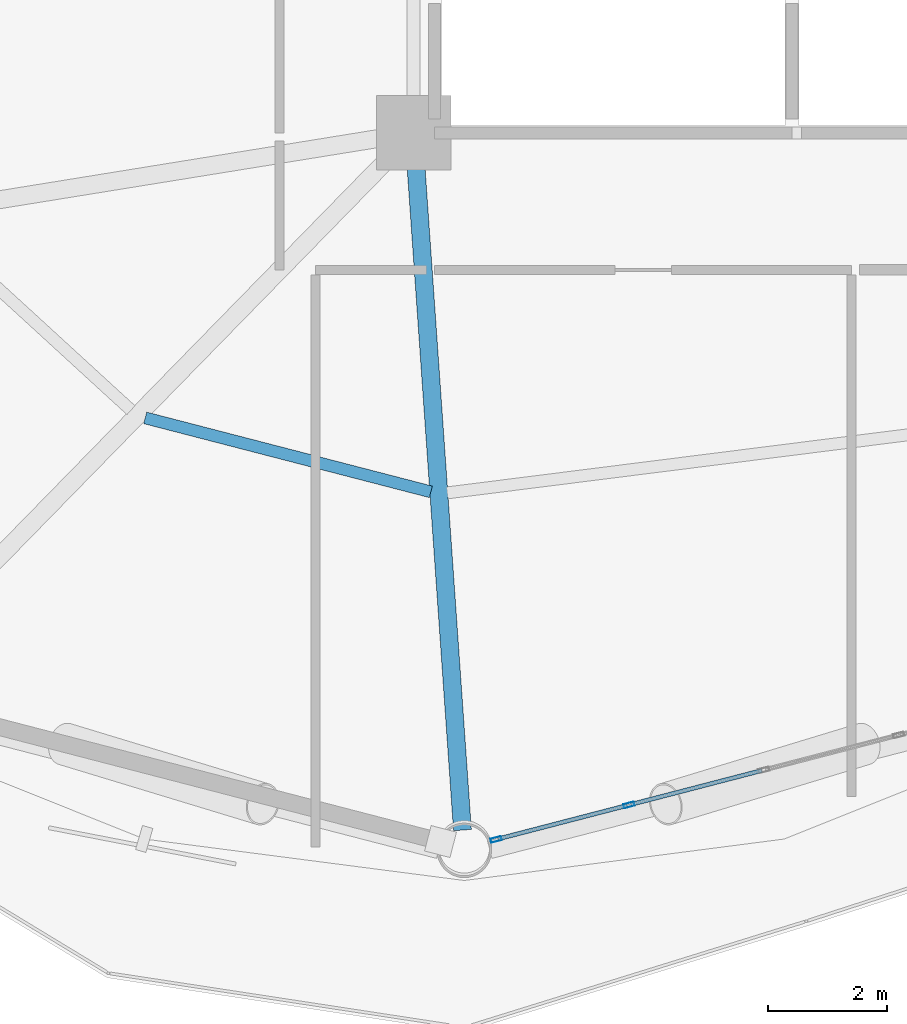
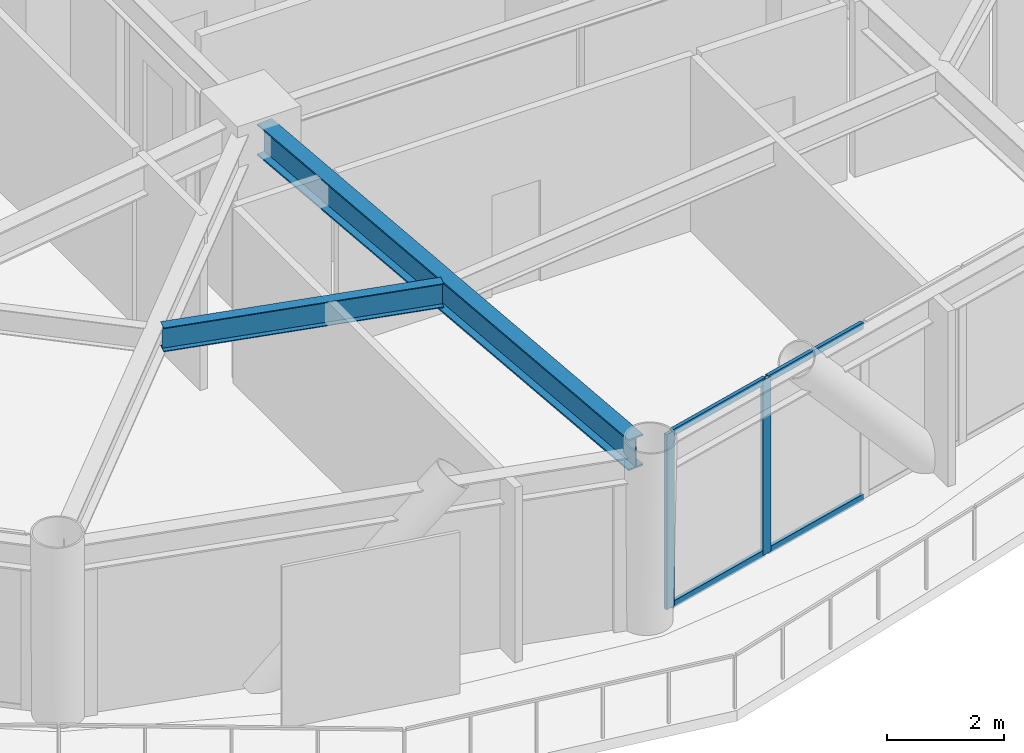
# One storey, part 6 of 23: 6 members, 2 beams, 1 element without a shape of its own.
"""IFC4 building model written with IfcOpenShell, lengths in metres."""

from ifc_helpers import new_model, si_unit, direction, frame, origin, origin_2d, place, context, subcontext, project, spatial, hollow_rectangle, i_section, extrude, material, layer, layer_set, material_profile, profile_set, type_object, element, aggregate, save


model = new_model("IFC4")

# Units and contexts
model_context = context("Model", 3, precision=1e-05, world=origin(), true_north=direction((0.0, 1.0)))
body_context = subcontext(model_context, "Body", "Model", "MODEL_VIEW")
ifc_project = project(units=[si_unit("LENGTHUNIT", "METRE"), si_unit("AREAUNIT", "SQUARE_METRE"), si_unit("VOLUMEUNIT", "CUBIC_METRE"), si_unit("PLANEANGLEUNIT", "RADIAN"), si_unit("MASSUNIT", "GRAM", prefix="KILO")], contexts=[model_context])

# Site, building, storey
site_placement = place(None, origin())
site = spatial("IfcSite", under=ifc_project, at=site_placement, CompositionType="ELEMENT")
building_placement = place(site_placement, origin())
building = spatial("IfcBuilding", under=site, at=building_placement, Name="Varnakorn Sky Granary", CompositionType="ELEMENT")
storey_placement = place(building_placement, frame((0.0, 0.0, 31.5)))
storey = spatial("IfcBuildingStorey", under=building, at=storey_placement, Name="L07", CompositionType="ELEMENT", Elevation=31.5)

# Beams
ifc_material_1 = material(Name="Steel S355JR", Category="steel")
ifc_material_profile_1 = material_profile(ifc_material_1, i_section(OverallWidth=0.300048828125, OverallDepth=0.64990234375, WebThickness=0.01611328125, FlangeThickness=0.031005859375, at=origin_2d()), Name="HE 650 B")
ifc_profile_set_1 = profile_set([ifc_material_profile_1], Name="Steel S355JR")
beam_type_1 = type_object("IfcBeamType", Name="BM-RAD-Z1", PredefinedType="BEAM", material=ifc_profile_set_1)
beam_1_placement = place(storey_placement, frame((-2.32080078125, -7.01904296875, 3.31494140625), z_axis=(0.069840084346, -0.997558200116, 0.0), x_axis=(0.997558200116, 0.069840084346, 0.0)))
element("IfcBeam", 1, at=beam_1_placement, inside=storey, type_object=beam_type_1, Name="Radial Floor Girder RG10 L07", PredefinedType="BEAM", context=body_context, shape_type="SweptSolid", body=[
    extrude(i_section(OverallWidth=0.300048828125, OverallDepth=0.64990234375, WebThickness=0.01611328125, FlangeThickness=0.031005859375, at=origin_2d()), origin(), (0.0, 0.0, 1.0), 11.30859375),
])
ifc_material_profile_2 = material_profile(ifc_material_1, i_section(OverallWidth=0.199951171875, OverallDepth=0.5, WebThickness=0.01025390625, FlangeThickness=0.01611328125, at=origin_2d()), Name="IPE 500")
ifc_profile_set_2 = profile_set([ifc_material_profile_2], Name="Steel S355JR")
beam_type_2 = type_object("IfcBeamType", Name="BM-SEC-Z1", PredefinedType="BEAM", material=ifc_profile_set_2)
beam_2_placement = place(storey_placement, frame((-6.85400390625, -11.3837890625, 3.389892578125), z_axis=(0.968086907115, -0.25061472477, 0.0), x_axis=(0.25061472477, 0.968086907115, 0.0)))
element("IfcBeam", 2, at=beam_2_placement, inside=storey, type_object=beam_type_2, Name="Secondary Floor Chord Beam MSB09 L07", PredefinedType="BEAM", context=body_context, shape_type="SweptSolid", body=[
    extrude(i_section(OverallWidth=0.199951171875, OverallDepth=0.5, WebThickness=0.01025390625, FlangeThickness=0.01611328125, at=origin_2d()), origin(), (0.0, 0.0, 1.0), 4.95068359375),
])

# Curtain wall, members
ifc_material_2 = material(Name="Anodised Bronze Aluminium Alloy 6063-T6", Category="aluminium")
ifc_layer = layer(ifc_material_2, 0.18994140625, Name="Anodised Bronze Aluminium Alloy 6063-T6")
ifc_layer_set = layer_set([ifc_layer], Name="Anodised Bronze Aluminium Alloy 6063-T6")
curtain_wall_type = type_object("IfcCurtainWallType", Name="CW-FRM-1", PredefinedType="USERDEFINED", material=ifc_layer_set)
curtain_wall_placement = place(storey_placement, origin())
curtain_wall = element("IfcCurtainWall", 3, at=curtain_wall_placement, inside=storey, type_object=curtain_wall_type, Name="Unitised Curtain Wall CW3 CW-L07-B10", ObjectType="CURTAIN WALL", PredefinedType="USERDEFINED")
ifc_material_profile_3 = material_profile(ifc_material_2, hollow_rectangle(XDim=0.070068359375, YDim=0.18505859375, WallThickness=0.00390625, at=origin_2d()), Name="ALU MULL 70x185")
ifc_profile_set_3 = profile_set([ifc_material_profile_3], Name="Anodised Bronze Aluminium Alloy 6063-T6")
member_type_1 = type_object("IfcMemberType", Name="CW-FRM-1-MULL", PredefinedType="MULLION", material=ifc_profile_set_3)
member_1_placement = place(storey_placement, frame((1.26318359375, -17.87890625, 0.0), z_axis=(0.0, 0.0, 1.0), x_axis=(0.251164802538, -0.967944338258, 0.0)))
member_1 = element("IfcMember", 4, at=member_1_placement, type_object=member_type_1, Name="CW3 mullion 4", PredefinedType="MULLION", context=body_context, shape_type="SweptSolid", body=[
    extrude(hollow_rectangle(XDim=0.070068359375, YDim=0.18505859375, WallThickness=0.00390625, at=origin_2d()), origin(), (0.0, 0.0, 1.0), 3.639892578125),
])
member_2_placement = place(storey_placement, frame((-0.9658203125, -18.457275390625, 0.0), z_axis=(0.0, 0.0, 1.0), x_axis=(0.251164802538, -0.967944338258, 0.0)))
member_2 = element("IfcMember", 5, at=member_2_placement, type_object=member_type_1, Name="CW3 mullion 5", PredefinedType="MULLION", context=body_context, shape_type="SweptSolid", body=[
    extrude(hollow_rectangle(XDim=0.070068359375, YDim=0.18505859375, WallThickness=0.00390625, at=origin_2d()), origin(), (0.0, 0.0, 1.0), 3.639892578125),
])
ifc_material_profile_4 = material_profile(ifc_material_2, hollow_rectangle(XDim=0.070068359375, YDim=0.139892578125, WallThickness=0.00341796875, at=origin_2d()), Name="ALU TRAN 70x140")
ifc_profile_set_4 = profile_set([ifc_material_profile_4], Name="Anodised Bronze Aluminium Alloy 6063-T6")
member_type_2 = type_object("IfcMemberType", Name="CW-FRM-1-TRAN", PredefinedType="USERDEFINED", material=ifc_profile_set_4)
member_3_placement = place(storey_placement, frame((3.491943359375, -17.300537109375, 0.034912109375), z_axis=(-0.967944570757, -0.251163906526, 0.0), x_axis=(0.251163906526, -0.967944570757, 0.0)))
member_3 = element("IfcMember", 6, at=member_3_placement, type_object=member_type_2, Name="CW3 transom 3.1", ObjectType="TRANSOM", PredefinedType="USERDEFINED", context=body_context, shape_type="SweptSolid", body=[
    extrude(hollow_rectangle(XDim=0.070068359375, YDim=0.139892578125, WallThickness=0.00341796875, at=origin_2d()), origin(), (0.0, 0.0, 1.0), 2.267822265625),
])
member_4_placement = place(storey_placement, frame((3.491943359375, -17.300537109375, 3.60498046875), z_axis=(-0.967944570757, -0.251163906526, 0.0), x_axis=(0.251163906526, -0.967944570757, 0.0)))
member_4 = element("IfcMember", 7, at=member_4_placement, type_object=member_type_2, Name="CW3 transom 3.2", ObjectType="TRANSOM", PredefinedType="USERDEFINED", context=body_context, shape_type="SweptSolid", body=[
    extrude(hollow_rectangle(XDim=0.070068359375, YDim=0.139892578125, WallThickness=0.00341796875, at=origin_2d()), origin(), (0.0, 0.0, 1.0), 2.267822265625),
])
member_5_placement = place(storey_placement, frame((1.229248046875, -17.8876953125, 0.034912109375), z_axis=(-0.967942764186, -0.251170868655, 0.0), x_axis=(0.251170868655, -0.967942764186, 0.0)))
member_5 = element("IfcMember", 8, at=member_5_placement, type_object=member_type_2, Name="CW3 transom 4.1", ObjectType="TRANSOM", PredefinedType="USERDEFINED", context=body_context, shape_type="SweptSolid", body=[
    extrude(hollow_rectangle(XDim=0.070068359375, YDim=0.139892578125, WallThickness=0.00341796875, at=origin_2d()), origin(), (0.0, 0.0, 1.0), 2.232666015625),
])
member_6_placement = place(storey_placement, frame((1.229248046875, -17.8876953125, 3.60498046875), z_axis=(-0.967942764186, -0.251170868655, 0.0), x_axis=(0.251170868655, -0.967942764186, 0.0)))
member_6 = element("IfcMember", 9, at=member_6_placement, type_object=member_type_2, Name="CW3 transom 4.2", ObjectType="TRANSOM", PredefinedType="USERDEFINED", context=body_context, shape_type="SweptSolid", body=[
    extrude(hollow_rectangle(XDim=0.070068359375, YDim=0.139892578125, WallThickness=0.00341796875, at=origin_2d()), origin(), (0.0, 0.0, 1.0), 2.232666015625),
])
aggregate(curtain_wall, [member_1, member_2, member_3, member_4, member_5, member_6])

save(model, "model.ifc")
